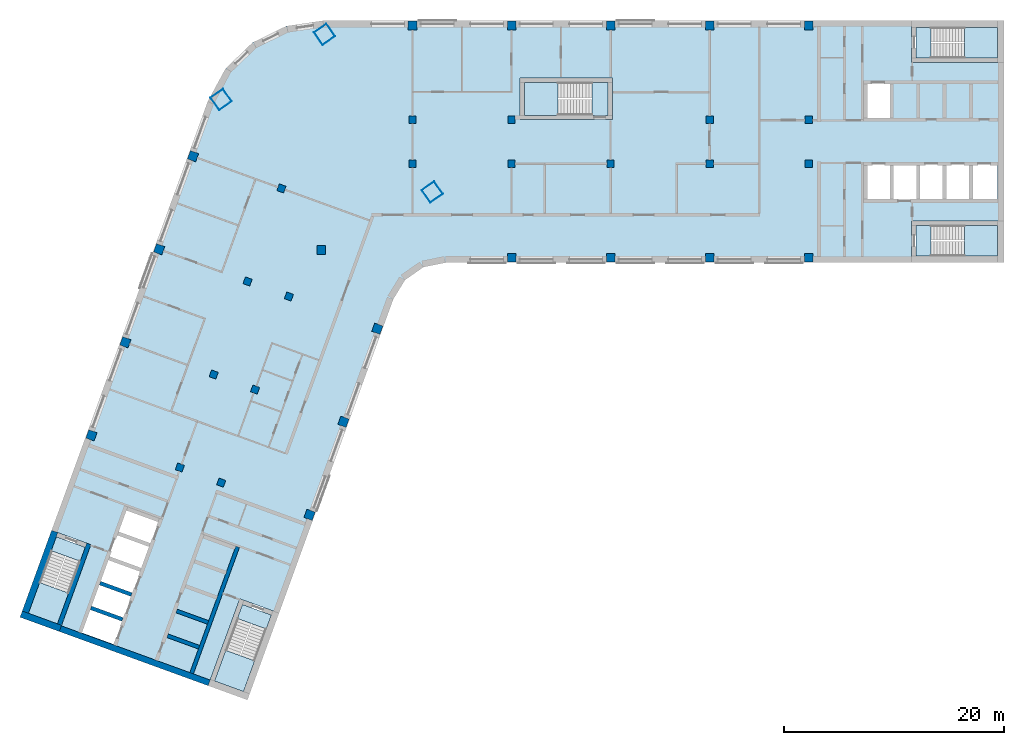
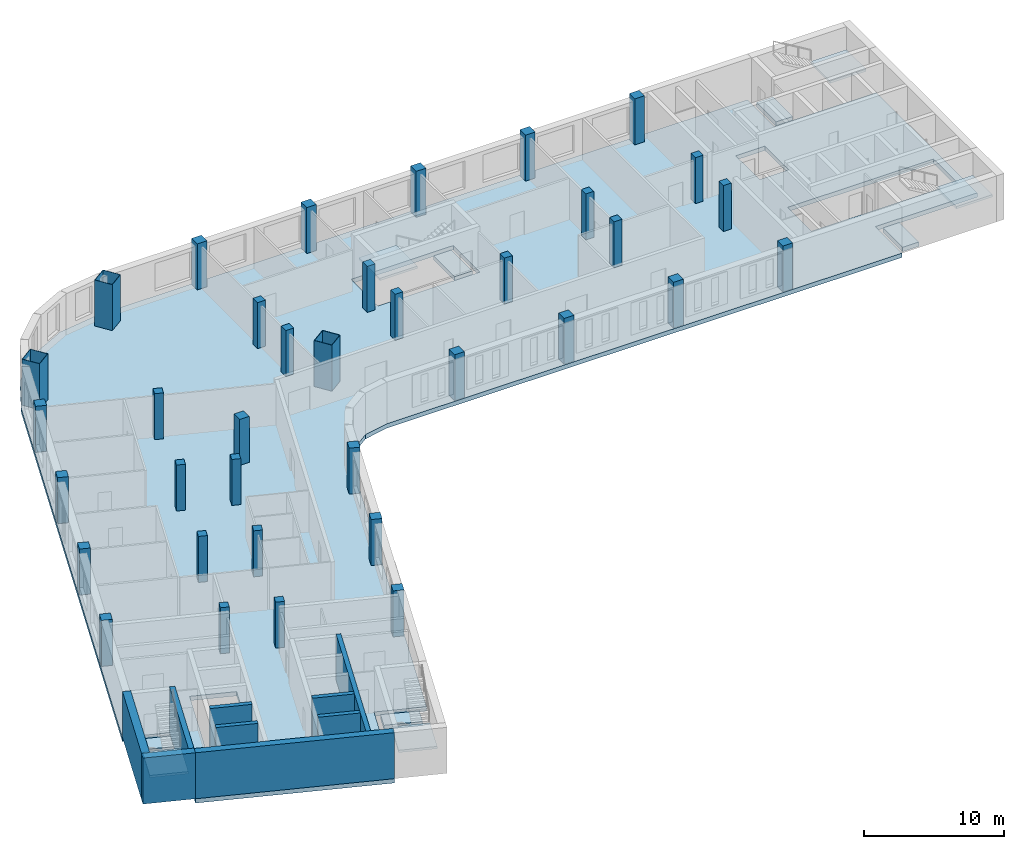
# One storey, part 1 of 8: 36 columns, 11 slabs, 9 walls, 5 elements without a shape of their own.
"""IFC4 building model written with IfcOpenShell, lengths in metres."""

from ifc_helpers import new_model, si_unit, direction, frame, frame_2d, origin, origin_2d, place, context, subcontext, project, spatial, polyline, rectangle, hollow_rectangle, outline, extrude, material, layer, layer_set, material_profile, profile_set, type_object, element, aggregate, save


model = new_model("IFC4")

# Units and contexts
model_context = context("Model", 3, precision=1e-05, world=origin(), true_north=direction((0.0, 1.0)))
body_context = subcontext(model_context, "Body", "Model", "MODEL_VIEW")
ifc_project = project(units=[si_unit("LENGTHUNIT", "METRE"), si_unit("AREAUNIT", "SQUARE_METRE"), si_unit("VOLUMEUNIT", "CUBIC_METRE"), si_unit("PLANEANGLEUNIT", "RADIAN"), si_unit("MASSUNIT", "GRAM", prefix="KILO")], contexts=[model_context])

# Site, building, storey
site_placement = place(None, origin())
site = spatial("IfcSite", under=ifc_project, at=site_placement, CompositionType="ELEMENT")
building_placement = place(site_placement, origin())
building = spatial("IfcBuilding", under=site, at=building_placement, Name="Skarvind Civic Tower", CompositionType="ELEMENT")
storey_placement = place(building_placement, frame((0.0, 0.0, 138.5)))
storey = spatial("IfcBuildingStorey", under=building, at=storey_placement, Name="L32", CompositionType="ELEMENT", Elevation=138.5)

# Columns
ifc_material_1 = material(Name="Concrete C60", Category="concrete")
ifc_material_profile_1 = material_profile(ifc_material_1, rectangle(XDim=0.64990234375, YDim=0.64990234375, at=origin_2d()), Name="RC-650x650")
ifc_profile_set_1 = profile_set([ifc_material_profile_1], Name="Concrete C60")
column_type_1 = type_object("IfcColumnType", Name="Column RC-650x650 C60", PredefinedType="COLUMN", material=ifc_profile_set_1)
for number, where, z_axis, x_axis, name in (
    (1, (54.25, 130.0, 0.0), (0.0, 0.0, 1.0), (1.0, 0.0, 0.0), "Column wing 1 north inner 02 L32"),
    (2, (63.25, 130.0, 0.0), (0.0, 0.0, 1.0), (1.0, 0.0, 0.0), "Column wing 1 north inner 03 L32"),
    (3, (81.25, 130.0, 0.0), (0.0, 0.0, 1.0), (1.0, 0.0, 0.0), "Column wing 1 north inner 05 L32"),
    (4, (90.25, 130.0, 0.0), (0.0, 0.0, 1.0), (1.0, 0.0, 0.0), "Column wing 1 north inner 06 L32"),
    (5, (54.25, 126.0, 0.0), (0.0, 0.0, 1.0), (1.0, 0.0, 0.0), "Column wing 1 south inner 02 L32"),
    (6, (63.25, 126.0, 0.0), (0.0, 0.0, 1.0), (1.0, 0.0, 0.0), "Column wing 1 south inner 03 L32"),
    (7, (72.25, 126.0, 0.0), (0.0, 0.0, 1.0), (1.0, 0.0, 0.0), "Column wing 1 south inner 04 L32"),
    (8, (81.25, 126.0, 0.0), (0.0, 0.0, 1.0), (1.0, 0.0, 0.0), "Column wing 1 south inner 05 L32"),
    (9, (90.25, 126.0, 0.0), (0.0, 0.0, 1.0), (1.0, 0.0, 0.0), "Column wing 1 south inner 06 L32"),
    (10, (43.005615234375, 113.92529296875, 0.0), (0.0, 0.0, 1.0), (-0.342020143326, -0.939692620786, 0.0), "Column wing 2 left inner 02 L32"),
    (11, (39.927490234375, 105.468017578125, 0.0), (0.0, 0.0, 1.0), (-0.342020143326, -0.939692620786, 0.0), "Column wing 2 left inner 03 L32"),
    (12, (36.84912109375, 97.010986328125, 0.0), (0.0, 0.0, 1.0), (-0.342020143326, -0.939692620786, 0.0), "Column wing 2 left inner 04 L32"),
    (13, (42.324951171875, 123.750732421875, 0.0), (0.0, 0.0, 1.0), (-0.342020143326, -0.939692620786, 0.0), "Column wing 2 right inner 01 L32"),
    (14, (39.246826171875, 115.29345703125, 0.0), (0.0, 0.0, 1.0), (-0.342020143326, -0.939692620786, 0.0), "Column wing 2 right inner 02 L32"),
    (15, (36.168701171875, 106.836181640625, 0.0), (0.0, 0.0, 1.0), (-0.342020143326, -0.939692620786, 0.0), "Column wing 2 right inner 03 L32"),
    (16, (33.090576171875, 98.37890625, 0.0), (0.0, 0.0, 1.0), (-0.342020143326, -0.939692620786, 0.0), "Column wing 2 right inner 04 L32"),
):
    element("IfcColumn", number, at=place(storey_placement, frame(where, z_axis=z_axis, x_axis=x_axis)), inside=storey, type_object=column_type_1, Name=name, PredefinedType="COLUMN", context=body_context, shape_type="SweptSolid", body=[
        extrude(rectangle(XDim=0.64990234375, YDim=0.64990234375, at=origin_2d()), origin(), (0.0, 0.0, 1.0), 4.0),
    ])
ifc_material_profile_2 = material_profile(ifc_material_1, rectangle(XDim=0.800048828125, YDim=0.800048828125, at=origin_2d()), Name="RC-800x800")
ifc_profile_set_2 = profile_set([ifc_material_profile_2], Name="Concrete C60")
column_type_2 = type_object("IfcColumnType", Name="Column RC-800x800 C60", PredefinedType="COLUMN", material=ifc_profile_set_2)
for number, where, z_axis, x_axis, name in (
    (17, (54.25, 138.550048828125, 0.0), (0.0, 0.0, 1.0), (1.0, 0.0, 0.0), "Column wing 1 north perimeter 02 L32"),
    (18, (63.25, 138.550048828125, 0.0), (0.0, 0.0, 1.0), (1.0, 0.0, 0.0), "Column wing 1 north perimeter 03 L32"),
    (19, (72.25, 138.550048828125, 0.0), (0.0, 0.0, 1.0), (1.0, 0.0, 0.0), "Column wing 1 north perimeter 04 L32"),
    (20, (81.25, 138.550048828125, 0.0), (0.0, 0.0, 1.0), (1.0, 0.0, 0.0), "Column wing 1 north perimeter 05 L32"),
    (21, (90.25, 138.550048828125, 0.0), (0.0, 0.0, 1.0), (1.0, 0.0, 0.0), "Column wing 1 north perimeter 06 L32"),
    (22, (45.95166015625, 118.151611328125, 0.0), (0.0, 0.0, 1.0), (1.0, 0.0, 0.0), "Column wing 1 south perimeter 01 L32"),
    (23, (63.25, 117.449951171875, 0.0), (0.0, 0.0, 1.0), (1.0, 0.0, 0.0), "Column wing 1 south perimeter 03 L32"),
    (24, (72.25, 117.449951171875, 0.0), (0.0, 0.0, 1.0), (1.0, 0.0, 0.0), "Column wing 1 south perimeter 04 L32"),
    (25, (81.25, 117.449951171875, 0.0), (0.0, 0.0, 1.0), (1.0, 0.0, 0.0), "Column wing 1 south perimeter 05 L32"),
    (26, (90.25, 117.449951171875, 0.0), (0.0, 0.0, 1.0), (1.0, 0.0, 0.0), "Column wing 1 south perimeter 06 L32"),
    (27, (51.0400390625, 111.0009765625, 0.0), (0.0, 0.0, 1.0), (-0.342020143326, -0.939692620786, 0.0), "Column wing 2 left perimeter 02 L32"),
    (28, (47.961669921875, 102.5439453125, 0.0), (0.0, 0.0, 1.0), (-0.342020143326, -0.939692620786, 0.0), "Column wing 2 left perimeter 03 L32"),
    (29, (44.883544921875, 94.086669921875, 0.0), (0.0, 0.0, 1.0), (-0.342020143326, -0.939692620786, 0.0), "Column wing 2 left perimeter 04 L32"),
    (30, (34.29052734375, 126.6748046875, 0.0), (0.0, 0.0, 1.0), (-0.342020143326, -0.939692620786, 0.0), "Column wing 2 right perimeter 01 L32"),
    (31, (31.21240234375, 118.2177734375, 0.0), (0.0, 0.0, 1.0), (-0.342020143326, -0.939692620786, 0.0), "Column wing 2 right perimeter 02 L32"),
    (32, (28.13427734375, 109.760498046875, 0.0), (0.0, 0.0, 1.0), (-0.342020143326, -0.939692620786, 0.0), "Column wing 2 right perimeter 03 L32"),
    (33, (25.05615234375, 101.30322265625, 0.0), (0.0, 0.0, 1.0), (-0.342020143326, -0.939692620786, 0.0), "Column wing 2 right perimeter 04 L32"),
):
    element("IfcColumn", number, at=place(storey_placement, frame(where, z_axis=z_axis, x_axis=x_axis)), inside=storey, type_object=column_type_2, Name=name, PredefinedType="COLUMN", context=body_context, shape_type="SweptSolid", body=[
        extrude(rectangle(XDim=0.800048828125, YDim=0.800048828125, at=origin_2d()), origin(), (0.0, 0.0, 1.0), 4.0),
    ])
ifc_material_2 = material(Name="Composite concrete-filled steel tube, Steel SM355 with Concrete C80", Category="concrete")
ifc_material_profile_3 = material_profile(ifc_material_2, hollow_rectangle(XDim=1.39990234375, YDim=1.39990234375, WallThickness=0.031982421875, at=origin_2d()), Name="BOX-1400x1400x32")
ifc_profile_set_3 = profile_set([ifc_material_profile_3], Name="Composite concrete-filled steel tube, Steel SM355 with Concrete C80")
column_type_3 = type_object("IfcColumnType", Name="Mega column BOX-1400x1400x32 filled C80", PredefinedType="COLUMN", material=ifc_profile_set_3)
for number, where, z_axis, x_axis, name in (
    (34, (36.845947265625, 131.837646484375, 0.0), (0.0, 0.0, 1.0), (0.573576436351, -0.819152044289, 0.0), "Mega column 1 L32"),
    (35, (46.2470703125, 137.762451171875, 0.0), (0.0, 0.0, 1.0), (0.573576436351, -0.819152044289, 0.0), "Mega column 2 L32"),
    (36, (56.0361328125, 123.43017578125, 0.0), (0.0, 0.0, 1.0), (0.573576436351, -0.819152044289, 0.0), "Mega column 4 L32"),
):
    element("IfcColumn", number, at=place(storey_placement, frame(where, z_axis=z_axis, x_axis=x_axis)), inside=storey, type_object=column_type_3, Name=name, PredefinedType="COLUMN", context=body_context, shape_type="SweptSolid", body=[
        extrude(hollow_rectangle(XDim=1.39990234375, YDim=1.39990234375, WallThickness=0.031982421875, at=origin_2d()), origin(), (0.0, 0.0, 1.0), 4.0),
    ])

# Slabs
ifc_material_3 = material(Name="Concrete C50", Category="concrete")
ifc_layer_1 = layer(ifc_material_3, 0.375)
ifc_layer_set_1 = layer_set([ifc_layer_1], Name="Floor slab 375 C50")
slab_type_1 = type_object("IfcSlabType", Name="Floor slab 375 C50", PredefinedType="FLOOR", material=ifc_layer_set_1)
slab_1_placement = place(storey_placement, frame((0.0, 0.0, -0.375)))
element("IfcSlab", 37, at=slab_1_placement, inside=storey, type_object=slab_type_1, Name="Floor slab L32 1", PredefinedType="FLOOR", context=body_context, shape_type="SweptSolid", body=[
    extrude(outline(polyline([(99.60009765625, 117.0), (99.60009765625, 120.800048828125), (108.0, 120.800048828125), (108.0, 135.199951171875), (99.60009765625, 135.199951171875), (99.60009765625, 139.0), (46.095458984375, 139.0), (42.739501953125, 138.5009765625), (39.6943359375, 137.005615234375), (37.24755859375, 134.6552734375), (35.630615234375, 131.672607421875), (19.41748046875, 87.126708984375), (21.435302734375, 92.6708984375), (25.006103515625, 91.371337890625), (22.13330078125, 83.477783203125), (36.886474609375, 78.108154296875), (35.664794921875, 78.552734375), (38.53759765625, 86.4462890625), (42.108642578125, 85.146484375), (40.0908203125, 79.602294921875), (40.0908203125, 79.602294921875), (52.493896484375, 113.68017578125), (53.560791015625, 115.421630859375), (55.23388671875, 116.593017578125), (57.235107421875, 117.0), (99.60009765625, 117.0)]), holes=[polyline([(25.671630859375, 87.9365234375), (26.492431640625, 90.19189453125), (27.313232421875, 92.447021484375), (28.134033203125, 94.702392578125), (31.3291015625, 93.53955078125), (30.50830078125, 91.2841796875), (29.6875, 89.029052734375), (28.866455078125, 86.773681640625), (28.866455078125, 86.773681640625), (28.045654296875, 84.5185546875), (27.224853515625, 82.26318359375), (24.02978515625, 83.426025390625), (24.8505859375, 85.681396484375), (25.671630859375, 87.9365234375), (25.671630859375, 87.9365234375)]), polyline([(64.0, 130.0), (64.0, 133.800048828125), (72.39990234375, 133.800048828125), (72.39990234375, 130.0), (64.0, 130.0)]), polyline([(97.800048828125, 126.0), (100.199951171875, 126.0), (102.60009765625, 126.0), (105.0, 126.0), (107.39990234375, 126.0), (107.39990234375, 122.60009765625), (105.0, 122.60009765625), (102.60009765625, 122.60009765625), (100.199951171875, 122.60009765625), (97.800048828125, 122.60009765625), (95.39990234375, 122.60009765625), (95.39990234375, 126.0), (97.800048828125, 126.0)]), polyline([(97.800048828125, 133.39990234375), (97.800048828125, 130.0), (95.39990234375, 130.0), (95.39990234375, 133.39990234375), (97.800048828125, 133.39990234375)])]), origin(), (0.0, 0.0, 1.0), 0.375),
])
ifc_material_4 = material(Name="Concrete C40/50", Category="concrete")
ifc_layer_2 = layer(ifc_material_4, 0.375)
ifc_layer_set_2 = layer_set([ifc_layer_2], Name="Stair floor landing slab 375")
slab_type_2 = type_object("IfcSlabType", Name="Stair floor landing slab 375", PredefinedType="LANDING", material=ifc_layer_set_2)
slab_2_placement = place(storey_placement, frame((0.0, 0.0, -0.375)))
element("IfcSlab", 38, at=slab_2_placement, inside=storey, type_object=slab_type_2, Name="Stair floor landing", PredefinedType="LANDING", context=body_context, shape_type="SweptSolid", body=[
    extrude(outline(polyline([(101.3505859375, 138.400634765625), (101.3505859375, 135.599365234375), (99.99951171875, 135.599365234375), (99.99951171875, 138.400634765625), (101.3505859375, 138.400634765625)])), origin(), (0.0, 0.0, 1.0), 0.375),
])
slab_3_placement = place(storey_placement, frame((0.0, 0.0, -0.375)))
element("IfcSlab", 39, at=slab_3_placement, inside=storey, type_object=slab_type_2, Name="Stair floor landing", PredefinedType="LANDING", context=body_context, shape_type="SweptSolid", body=[
    extrude(outline(polyline([(101.3505859375, 120.400634765625), (101.3505859375, 117.599365234375), (99.99951171875, 117.599365234375), (99.99951171875, 120.400634765625), (101.3505859375, 120.400634765625)])), origin(), (0.0, 0.0, 1.0), 0.375),
])
slab_4_placement = place(storey_placement, frame((0.0, 0.0, -0.375)))
element("IfcSlab", 40, at=slab_4_placement, inside=storey, type_object=slab_type_2, Name="Stair floor landing", PredefinedType="LANDING", context=body_context, shape_type="SweptSolid", body=[
    extrude(outline(polyline([(40.946533203125, 83.70654296875), (38.314208984375, 84.66455078125), (38.7763671875, 85.934326171875), (41.40869140625, 84.976318359375), (40.946533203125, 83.70654296875)])), origin(), (0.0, 0.0, 1.0), 0.375),
])
slab_5_placement = place(storey_placement, frame((0.0, 0.0, -0.375)))
element("IfcSlab", 41, at=slab_5_placement, inside=storey, type_object=slab_type_2, Name="Stair floor landing", PredefinedType="LANDING", context=body_context, shape_type="SweptSolid", body=[
    extrude(outline(polyline([(24.0322265625, 89.863037109375), (21.39990234375, 90.821044921875), (21.862060546875, 92.090576171875), (24.494384765625, 91.132568359375), (24.0322265625, 89.863037109375)])), origin(), (0.0, 0.0, 1.0), 0.375),
])
slab_6_placement = place(storey_placement, frame((0.0, 0.0, -0.375)))
element("IfcSlab", 42, at=slab_6_placement, inside=storey, type_object=slab_type_2, Name="Stair floor landing", PredefinedType="LANDING", context=body_context, shape_type="SweptSolid", body=[
    extrude(outline(polyline([(70.54931640625, 130.3994140625), (70.54931640625, 133.400634765625), (72.00048828125, 133.400634765625), (72.00048828125, 130.3994140625), (70.54931640625, 130.3994140625)])), origin(), (0.0, 0.0, 1.0), 0.375),
])

# Stair, slab
stair_type_1 = type_object("IfcStairType", Name="Exit stair, half-turn, concrete", PredefinedType="HALF_TURN_STAIR", material=ifc_material_4)
stair_1_placement = place(storey_placement, origin())
stair_1 = element("IfcStair", 43, at=stair_1_placement, inside=storey, type_object=stair_type_1, Name="Exit stair C1S", PredefinedType="HALF_TURN_STAIR")
ifc_layer_3 = layer(ifc_material_4, 0.199951171875)
ifc_layer_set_3 = layer_set([ifc_layer_3], Name="Stair half landing slab")
slab_type_3 = type_object("IfcSlabType", Name="Stair half landing slab", PredefinedType="LANDING", material=ifc_layer_set_3)
slab_7_placement = place(storey_placement, frame((0.0, 0.0, 1.800048828125)))
slab_7 = element("IfcSlab", 44, at=slab_7_placement, type_object=slab_type_3, Name="ST-C1S landing 1", PredefinedType="LANDING", context=body_context, shape_type="SweptSolid", body=[
    extrude(outline(polyline([(104.429443359375, 135.599365234375), (104.429443359375, 138.400634765625), (107.400634765625, 138.400634765625), (107.400634765625, 135.599365234375), (104.429443359375, 135.599365234375)])), origin(), (0.0, 0.0, 1.0), 0.199951171875),
])
aggregate(stair_1, [slab_7])

stair_2_placement = place(storey_placement, origin())
stair_2 = element("IfcStair", 45, at=stair_2_placement, inside=storey, type_object=stair_type_1, Name="Exit stair C1N", PredefinedType="HALF_TURN_STAIR")
slab_8_placement = place(storey_placement, frame((0.0, 0.0, 1.800048828125)))
slab_8 = element("IfcSlab", 46, at=slab_8_placement, type_object=slab_type_3, Name="ST-C1N landing 1", PredefinedType="LANDING", context=body_context, shape_type="SweptSolid", body=[
    extrude(outline(polyline([(104.429443359375, 117.599365234375), (104.429443359375, 120.400634765625), (107.400634765625, 120.400634765625), (107.400634765625, 117.599365234375), (104.429443359375, 117.599365234375)])), origin(), (0.0, 0.0, 1.0), 0.199951171875),
])
aggregate(stair_2, [slab_8])

stair_3_placement = place(storey_placement, origin())
stair_3 = element("IfcStair", 47, at=stair_3_placement, inside=storey, type_object=stair_type_1, Name="Exit stair C2S", PredefinedType="HALF_TURN_STAIR")
slab_9_placement = place(storey_placement, frame((0.0, 0.0, 1.800048828125)))
slab_9 = element("IfcSlab", 48, at=slab_9_placement, type_object=slab_type_3, Name="ST-C2S landing 1", PredefinedType="LANDING", context=body_context, shape_type="SweptSolid", body=[
    extrude(outline(polyline([(37.26123046875, 81.771484375), (39.8935546875, 80.8134765625), (38.87744140625, 78.021484375), (36.2451171875, 78.9794921875), (37.26123046875, 81.771484375)])), origin(), (0.0, 0.0, 1.0), 0.199951171875),
])
aggregate(stair_3, [slab_9])

stair_4_placement = place(storey_placement, origin())
stair_4 = element("IfcStair", 49, at=stair_4_placement, inside=storey, type_object=stair_type_1, Name="Exit stair C2N", PredefinedType="HALF_TURN_STAIR")
slab_10_placement = place(storey_placement, frame((0.0, 0.0, 1.800048828125)))
slab_10 = element("IfcSlab", 50, at=slab_10_placement, type_object=slab_type_3, Name="ST-C2N landing 1", PredefinedType="LANDING", context=body_context, shape_type="SweptSolid", body=[
    extrude(outline(polyline([(20.346923828125, 87.927734375), (22.97900390625, 86.9697265625), (21.962890625, 84.177734375), (19.33056640625, 85.1357421875), (20.346923828125, 87.927734375)])), origin(), (0.0, 0.0, 1.0), 0.199951171875),
])
aggregate(stair_4, [slab_10])

stair_type_2 = type_object("IfcStairType", Name="Exit stair 1450, half-turn, concrete", PredefinedType="HALF_TURN_STAIR", material=ifc_material_4)
stair_5_placement = place(storey_placement, origin())
stair_5 = element("IfcStair", 51, at=stair_5_placement, inside=storey, type_object=stair_type_2, Name="Exit stair CM", PredefinedType="HALF_TURN_STAIR")
slab_11_placement = place(storey_placement, frame((0.0, 0.0, 1.800048828125)))
slab_11 = element("IfcSlab", 52, at=slab_11_placement, type_object=slab_type_3, Name="ST-CM landing 1", PredefinedType="LANDING", context=body_context, shape_type="SweptSolid", body=[
    extrude(outline(polyline([(67.470703125, 133.400634765625), (67.470703125, 130.3994140625), (64.3994140625, 130.3994140625), (64.3994140625, 133.400634765625), (67.470703125, 133.400634765625)])), origin(), (0.0, 0.0, 1.0), 0.199951171875),
])
aggregate(stair_5, [slab_11])

# Walls
ifc_layer_4 = layer(ifc_material_1, 0.35009765625)
ifc_layer_set_4 = layer_set([ifc_layer_4], Name="Core wall 350 C60")
wall_type_1 = type_object("IfcWallType", Name="Core wall 350 C60", PredefinedType="SHEAR", material=ifc_layer_set_4)
wall_1_placement = place(storey_placement, frame((34.161376953125, 79.685302734375, 0.0), z_axis=(0.0, 0.0, 1.0), x_axis=(0.34201563943, 0.939694260058, 0.0)))
element("IfcWall", 53, at=wall_1_placement, inside=storey, type_object=wall_type_1, Name="Core wall C2 south lift row back L32", PredefinedType="SHEAR", context=body_context, shape_type="SweptSolid", body=[
    extrude(rectangle(XDim=12.22509765625, YDim=0.35009765625, at=frame_2d((6.112548828125, 0.0))), origin(), (0.0, 0.0, 1.0), 4.0),
])
wall_2_placement = place(storey_placement, frame((34.8349609375, 82.04736328125, 0.0), z_axis=(0.0, 0.0, 1.0), x_axis=(-0.939683528043, 0.3420451244, 0.0)))
element("IfcWall", 54, at=wall_2_placement, inside=storey, type_object=wall_type_1, Name="Core wall C2 south lift row division 1 L32", PredefinedType="SHEAR", context=body_context, shape_type="SweptSolid", body=[
    extrude(rectangle(XDim=3.050048828125, YDim=0.35009765625, at=frame_2d((1.52490234375, 0.0))), origin(), (0.0, 0.0, 1.0), 4.0),
])
wall_3_placement = place(storey_placement, frame((35.65576171875, 84.302734375, 0.0), z_axis=(0.0, 0.0, 1.0), x_axis=(-0.939709254651, 0.341974438698, 0.0)))
element("IfcWall", 55, at=wall_3_placement, inside=storey, type_object=wall_type_1, Name="Core wall C2 south lift row division 2 L32", PredefinedType="SHEAR", context=body_context, shape_type="SweptSolid", body=[
    extrude(rectangle(XDim=3.0498046875, YDim=0.35009765625, at=frame_2d((1.52490234375, 0.0))), origin(), (0.0, 0.0, 1.0), 4.0),
])
for number, where, z_axis, x_axis, name in (
    (56, (27.881103515625, 84.578369140625, 0.0), (0.0, 0.0, 1.0), (-0.939683528043, 0.3420451244, 0.0), "Core wall C2 north lift row division 1 L32"),
    (57, (28.7021484375, 86.83349609375, 0.0), (0.0, 0.0, 1.0), (-0.939692892192, 0.342019397644, 0.0), "Core wall C2 north lift row division 2 L32"),
):
    element("IfcWall", number, at=place(storey_placement, frame(where, z_axis=z_axis, x_axis=x_axis)), inside=storey, type_object=wall_type_1, Name=name, PredefinedType="SHEAR", context=body_context, shape_type="SweptSolid", body=[
        extrude(rectangle(XDim=3.050048828125, YDim=0.35009765625, at=frame_2d((1.52490234375, 0.0))), origin(), (0.0, 0.0, 1.0), 4.0),
    ])
ifc_layer_5 = layer(ifc_material_1, 0.39990234375)
ifc_layer_set_5 = layer_set([ifc_layer_5], Name="Core wall 400 C60")
wall_type_2 = type_object("IfcWallType", Name="Core wall 400 C60", PredefinedType="SHEAR", material=ifc_layer_set_5)
wall_4_placement = place(storey_placement, frame((22.150390625, 84.110107421875, 0.0), z_axis=(0.0, 0.0, 1.0), x_axis=(0.342016982193, 0.939693771338, 0.0)))
element("IfcWall", 58, at=wall_4_placement, inside=storey, type_object=wall_type_2, Name="Core wall C2 north stair inner L32", PredefinedType="SHEAR", context=body_context, shape_type="SweptSolid", body=[
    extrude(rectangle(XDim=7.800048828125, YDim=0.39990234375, at=frame_2d((3.89990234375, 0.0))), origin(), (0.0, 0.0, 1.0), 4.0),
])
ifc_layer_6 = layer(ifc_material_1, 0.550048828125)
ifc_layer_set_6 = layer_set([ifc_layer_6], Name="Core wall 550 C60")
wall_type_3 = type_object("IfcWallType", Name="Core wall 550 C60", PredefinedType="SHEAR", material=ifc_layer_set_6)
wall_5_placement = place(storey_placement, frame((35.7587890625, 78.811279296875, 0.0), z_axis=(0.0, 0.0, 1.0), x_axis=(-0.939692894512, 0.342019391267, 0.0)))
element("IfcWall", 59, at=wall_5_placement, inside=storey, type_object=wall_type_3, Name="Core wall C2 tip between the stairs L32", PredefinedType="SHEAR", context=body_context, shape_type="SweptSolid", body=[
    extrude(rectangle(XDim=14.39990234375, YDim=0.550048828125, at=frame_2d((7.199951171875, 0.0))), origin(), (0.0, 0.0, 1.0), 4.0),
])
ifc_layer_7 = layer(ifc_material_1, 0.60009765625)
ifc_layer_set_7 = layer_set([ifc_layer_7], Name="Core wall 600 C60")
wall_type_4 = type_object("IfcWallType", Name="Core wall 600 C60", PredefinedType="SHEAR", material=ifc_layer_set_7)
wall_6_placement = place(storey_placement, frame((22.23583984375, 83.759765625, 0.0), z_axis=(0.0, 0.0, 1.0), x_axis=(-0.939680822529, 0.342052557032, 0.0)))
element("IfcWall", 60, at=wall_6_placement, inside=storey, type_object=wall_type_4, Name="Core wall C2 tip at the north stair L32", PredefinedType="SHEAR", context=body_context, shape_type="SweptSolid", body=[
    extrude(rectangle(XDim=3.800048828125, YDim=0.60009765625, at=frame_2d((1.89990234375, 0.0))), origin(), (0.0, 0.0, 1.0), 4.0),
])
wall_7_placement = place(storey_placement, frame((19.049560546875, 85.23876953125, 0.0), z_axis=(0.0, 0.0, 1.0), x_axis=(0.342016982193, 0.939693771338, 0.0)))
element("IfcWall", 61, at=wall_7_placement, inside=storey, type_object=wall_type_4, Name="Core wall C2 north side at the stair L32", PredefinedType="SHEAR", context=body_context, shape_type="SweptSolid", body=[
    extrude(rectangle(XDim=7.800048828125, YDim=0.60009765625, at=frame_2d((3.89990234375, 0.0))), origin(), (0.0, 0.0, 1.0), 4.0),
])

save(model, "model.ifc")
